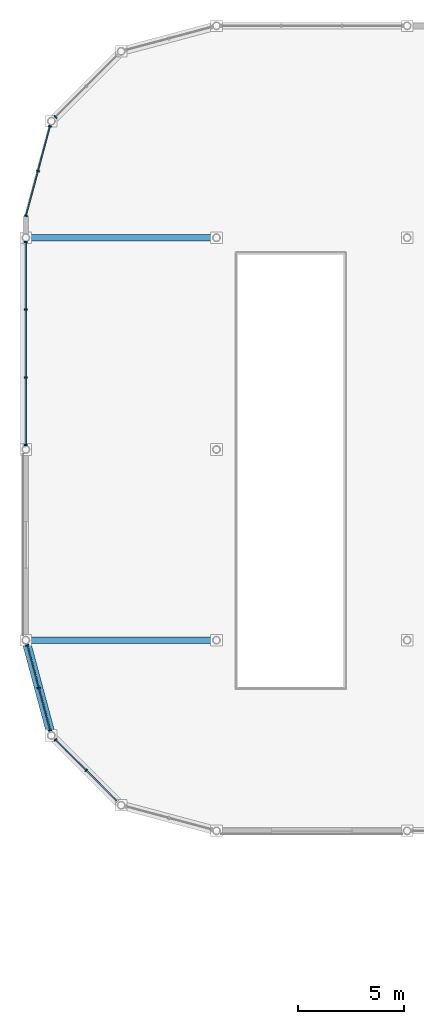
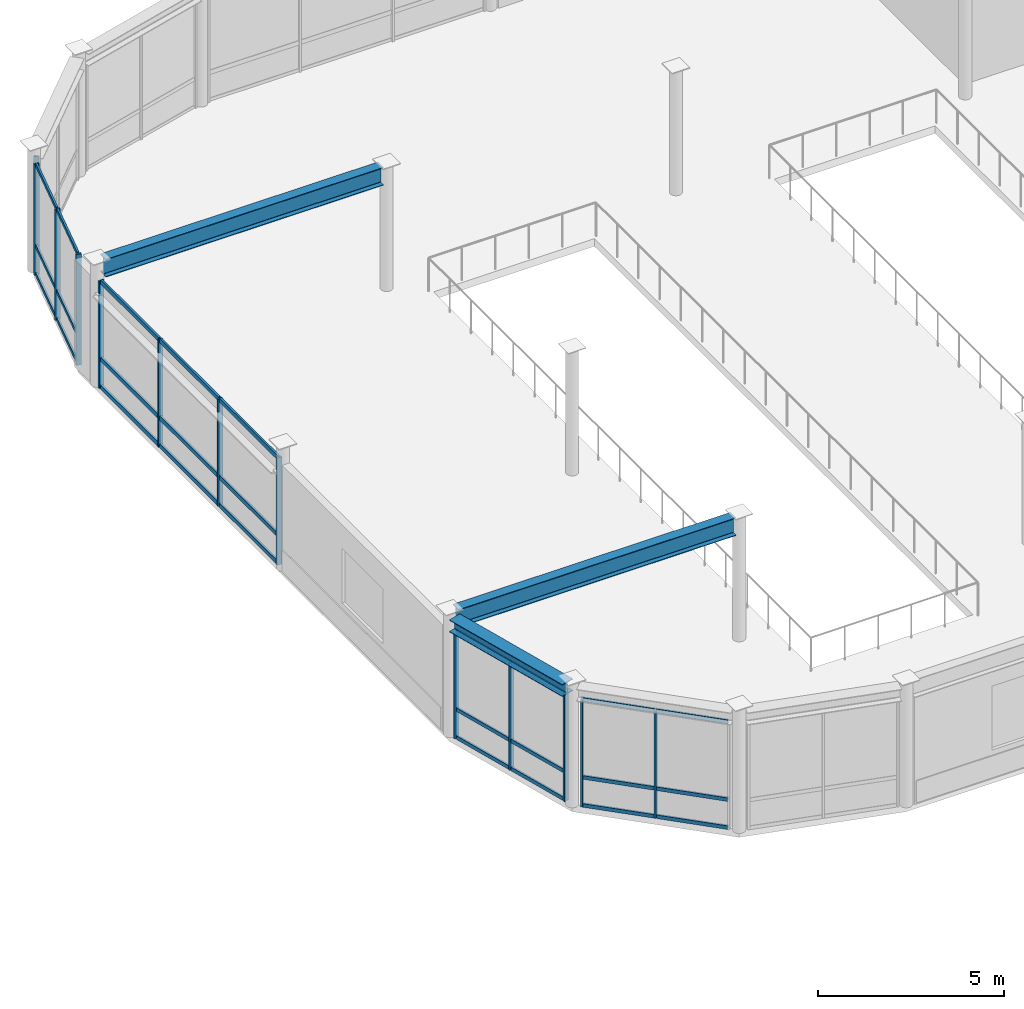
# One storey, part 19 of 53: 40 members, 3 beams, 5 elements without a shape of their own.
"""IFC4 building model written with IfcOpenShell, lengths in metres."""

from ifc_helpers import new_model, si_unit, direction, frame, origin, origin_2d, place, context, subcontext, project, spatial, rectangle, i_section, extrude, material, material_profile, profile_set, type_object, element, aggregate, save


model = new_model("IFC4")

# Units and contexts
model_context = context("Model", 3, precision=1e-05, world=origin(), true_north=direction((0.0, 1.0)))
body_context = subcontext(model_context, "Body", "Model", "MODEL_VIEW")
ifc_project = project(units=[si_unit("LENGTHUNIT", "METRE"), si_unit("AREAUNIT", "SQUARE_METRE"), si_unit("VOLUMEUNIT", "CUBIC_METRE"), si_unit("PLANEANGLEUNIT", "RADIAN"), si_unit("MASSUNIT", "GRAM", prefix="KILO")], contexts=[model_context])

# Site, building, storey
site_placement = place(None, origin())
site = spatial("IfcSite", under=ifc_project, at=site_placement, CompositionType="ELEMENT")
building_placement = place(site_placement, origin())
building = spatial("IfcBuilding", under=site, at=building_placement, Name="Suzunagisa Mobility Hub", CompositionType="ELEMENT")
storey_placement = place(building_placement, frame((0.0, 0.0, 17.699951171875)))
storey = spatial("IfcBuildingStorey", under=building, at=storey_placement, Name="L04", CompositionType="ELEMENT", Elevation=17.699951171875)

# Curtain wall, members
ifc_material_1 = material(Name="Thermally Broken Anodized Aluminum and Low-E Glazing", Category="aluminium")
curtain_wall_type_1 = type_object("IfcCurtainWallType", Name="Unitised Curtain Wall CW-39 9750x3500", PredefinedType="USERDEFINED", material=ifc_material_1)
curtain_wall_1_placement = place(storey_placement, origin())
curtain_wall_1 = element("IfcCurtainWall", 1, at=curtain_wall_1_placement, inside=storey, type_object=curtain_wall_type_1, Name="L04 Unitised Curtain Wall CW-90", ObjectType="UNITISED CURTAIN WALL", PredefinedType="USERDEFINED")
ifc_material_2 = material(Name="Anodized Aluminum 6063-T6", Category="aluminium")
ifc_material_profile_1 = material_profile(ifc_material_2, rectangle(XDim=0.06494140625, YDim=0.139892578125, at=origin_2d()), Name="TRAN-65x140")
ifc_profile_set_1 = profile_set([ifc_material_profile_1], Name="Anodized Aluminum 6063-T6")
member_type_1 = type_object("IfcMemberType", Name="Curtain Wall Framing CM-01 TRAN-65x140", PredefinedType="USERDEFINED", material=ifc_profile_set_1)
member_1_placement = place(storey_placement, frame((0.0, 107.76416015625, 0.032470703125), z_axis=(0.0, -1.0, 0.0), x_axis=(1.0, 0.0, 0.0)))
member_1 = element("IfcMember", 2, at=member_1_placement, type_object=member_type_1, Name="Curtain Wall Transom 90-T1.1", ObjectType="TRANSOM", PredefinedType="USERDEFINED", context=body_context, shape_type="SweptSolid", body=[
    extrude(rectangle(XDim=0.06494140625, YDim=0.139892578125, at=origin_2d()), origin(), (0.0, 0.0, 1.0), 3.128662109375),
])
member_2_placement = place(storey_placement, frame((0.0, 107.76416015625, 0.949951171875), z_axis=(0.0, -1.0, 0.0), x_axis=(1.0, 0.0, 0.0)))
member_2 = element("IfcMember", 3, at=member_2_placement, type_object=member_type_1, Name="Curtain Wall Transom 90-T1.2", ObjectType="TRANSOM", PredefinedType="USERDEFINED", context=body_context, shape_type="SweptSolid", body=[
    extrude(rectangle(XDim=0.06494140625, YDim=0.139892578125, at=origin_2d()), origin(), (0.0, 0.0, 1.0), 3.128662109375),
])
member_3_placement = place(storey_placement, frame((0.0, 107.76416015625, 3.49365234375), z_axis=(0.0, -1.0, 0.0), x_axis=(1.0, 0.0, 0.0)))
member_3 = element("IfcMember", 4, at=member_3_placement, type_object=member_type_1, Name="Curtain Wall Transom 90-T1.3", ObjectType="TRANSOM", PredefinedType="USERDEFINED", context=body_context, shape_type="SweptSolid", body=[
    extrude(rectangle(XDim=0.06494140625, YDim=0.139892578125, at=origin_2d()), origin(), (0.0, 0.0, 1.0), 3.128662109375),
])
member_4_placement = place(storey_placement, frame((0.0, 104.579345703125, 0.032470703125), z_axis=(0.0, -1.0, 0.0), x_axis=(1.0, 0.0, 0.0)))
member_4 = element("IfcMember", 5, at=member_4_placement, type_object=member_type_1, Name="Curtain Wall Transom 90-T2.1", ObjectType="TRANSOM", PredefinedType="USERDEFINED", context=body_context, shape_type="SweptSolid", body=[
    extrude(rectangle(XDim=0.06494140625, YDim=0.139892578125, at=origin_2d()), origin(), (0.0, 0.0, 1.0), 3.15869140625),
])
member_5_placement = place(storey_placement, frame((0.0, 104.579345703125, 0.949951171875), z_axis=(0.0, -1.0, 0.0), x_axis=(1.0, 0.0, 0.0)))
member_5 = element("IfcMember", 6, at=member_5_placement, type_object=member_type_1, Name="Curtain Wall Transom 90-T2.2", ObjectType="TRANSOM", PredefinedType="USERDEFINED", context=body_context, shape_type="SweptSolid", body=[
    extrude(rectangle(XDim=0.06494140625, YDim=0.139892578125, at=origin_2d()), origin(), (0.0, 0.0, 1.0), 3.15869140625),
])
member_6_placement = place(storey_placement, frame((0.0, 104.579345703125, 3.49365234375), z_axis=(0.0, -1.0, 0.0), x_axis=(1.0, 0.0, 0.0)))
member_6 = element("IfcMember", 7, at=member_6_placement, type_object=member_type_1, Name="Curtain Wall Transom 90-T2.3", ObjectType="TRANSOM", PredefinedType="USERDEFINED", context=body_context, shape_type="SweptSolid", body=[
    extrude(rectangle(XDim=0.06494140625, YDim=0.139892578125, at=origin_2d()), origin(), (0.0, 0.0, 1.0), 3.15869140625),
])
member_7_placement = place(storey_placement, frame((0.0, 101.364501953125, 0.032470703125), z_axis=(0.0, -1.0, 0.0), x_axis=(1.0, 0.0, 0.0)))
member_7 = element("IfcMember", 8, at=member_7_placement, type_object=member_type_1, Name="Curtain Wall Transom 90-T3.1", ObjectType="TRANSOM", PredefinedType="USERDEFINED", context=body_context, shape_type="SweptSolid", body=[
    extrude(rectangle(XDim=0.06494140625, YDim=0.139892578125, at=origin_2d()), origin(), (0.0, 0.0, 1.0), 3.128662109375),
])
member_8_placement = place(storey_placement, frame((0.0, 101.364501953125, 0.949951171875), z_axis=(0.0, -1.0, 0.0), x_axis=(1.0, 0.0, 0.0)))
member_8 = element("IfcMember", 9, at=member_8_placement, type_object=member_type_1, Name="Curtain Wall Transom 90-T3.2", ObjectType="TRANSOM", PredefinedType="USERDEFINED", context=body_context, shape_type="SweptSolid", body=[
    extrude(rectangle(XDim=0.06494140625, YDim=0.139892578125, at=origin_2d()), origin(), (0.0, 0.0, 1.0), 3.128662109375),
])
member_9_placement = place(storey_placement, frame((0.0, 101.364501953125, 3.49365234375), z_axis=(0.0, -1.0, 0.0), x_axis=(1.0, 0.0, 0.0)))
member_9 = element("IfcMember", 10, at=member_9_placement, type_object=member_type_1, Name="Curtain Wall Transom 90-T3.3", ObjectType="TRANSOM", PredefinedType="USERDEFINED", context=body_context, shape_type="SweptSolid", body=[
    extrude(rectangle(XDim=0.06494140625, YDim=0.139892578125, at=origin_2d()), origin(), (0.0, 0.0, 1.0), 3.128662109375),
])

curtain_wall_type_2 = type_object("IfcCurtainWallType", Name="Unitised Curtain Wall CW-24 4250x3500", PredefinedType="USERDEFINED", material=ifc_material_1)
curtain_wall_2_placement = place(storey_placement, origin())
curtain_wall_2 = element("IfcCurtainWall", 11, at=curtain_wall_2_placement, inside=storey, type_object=curtain_wall_type_2, Name="L04 Unitised Curtain Wall CW-80", ObjectType="UNITISED CURTAIN WALL", PredefinedType="USERDEFINED")
ifc_material_profile_2 = material_profile(ifc_material_2, rectangle(XDim=0.06005859375, YDim=0.1201171875, at=origin_2d()), Name="TRAN-60x120")
ifc_profile_set_2 = profile_set([ifc_material_profile_2], Name="Anodized Aluminum 6063-T6")
member_type_2 = type_object("IfcMemberType", Name="Curtain Wall Framing CM-02 TRAN-60x120", PredefinedType="USERDEFINED", material=ifc_profile_set_2)
member_10_placement = place(storey_placement, frame((0.0712890625, 88.733642578125, 0.030029296875), z_axis=(0.258892720742, -0.965906081949, 0.0), x_axis=(0.965906081949, 0.258892720742, 0.0)))
member_10 = element("IfcMember", 12, at=member_10_placement, type_object=member_type_2, Name="Curtain Wall Transom 80-T1.1", ObjectType="TRANSOM", PredefinedType="USERDEFINED", context=body_context, shape_type="SweptSolid", body=[
    extrude(rectangle(XDim=0.06005859375, YDim=0.1201171875, at=origin_2d()), origin(), (0.0, 0.0, 1.0), 2.025634765625),
])
member_11_placement = place(storey_placement, frame((0.0712890625, 88.733642578125, 0.949951171875), z_axis=(0.258892720742, -0.965906081949, 0.0), x_axis=(0.965906081949, 0.258892720742, 0.0)))
member_11 = element("IfcMember", 13, at=member_11_placement, type_object=member_type_2, Name="Curtain Wall Transom 80-T1.2", ObjectType="TRANSOM", PredefinedType="USERDEFINED", context=body_context, shape_type="SweptSolid", body=[
    extrude(rectangle(XDim=0.06005859375, YDim=0.1201171875, at=origin_2d()), origin(), (0.0, 0.0, 1.0), 2.025634765625),
])
member_12_placement = place(storey_placement, frame((0.0712890625, 88.733642578125, 3.49609375), z_axis=(0.258892720742, -0.965906081949, 0.0), x_axis=(0.965906081949, 0.258892720742, 0.0)))
member_12 = element("IfcMember", 14, at=member_12_placement, type_object=member_type_2, Name="Curtain Wall Transom 80-T1.3", ObjectType="TRANSOM", PredefinedType="USERDEFINED", context=body_context, shape_type="SweptSolid", body=[
    extrude(rectangle(XDim=0.06005859375, YDim=0.1201171875, at=origin_2d()), origin(), (0.0, 0.0, 1.0), 2.025634765625),
])
member_13_placement = place(storey_placement, frame((0.610107421875, 86.722900390625, 0.030029296875), z_axis=(0.258892720742, -0.965906081949, 0.0), x_axis=(0.965906081949, 0.258892720742, 0.0)))
member_13 = element("IfcMember", 15, at=member_13_placement, type_object=member_type_2, Name="Curtain Wall Transom 80-T2.1", ObjectType="TRANSOM", PredefinedType="USERDEFINED", context=body_context, shape_type="SweptSolid", body=[
    extrude(rectangle(XDim=0.06005859375, YDim=0.1201171875, at=origin_2d()), origin(), (0.0, 0.0, 1.0), 2.025634765625),
])
member_14_placement = place(storey_placement, frame((0.610107421875, 86.722900390625, 0.949951171875), z_axis=(0.258892720742, -0.965906081949, 0.0), x_axis=(0.965906081949, 0.258892720742, 0.0)))
member_14 = element("IfcMember", 16, at=member_14_placement, type_object=member_type_2, Name="Curtain Wall Transom 80-T2.2", ObjectType="TRANSOM", PredefinedType="USERDEFINED", context=body_context, shape_type="SweptSolid", body=[
    extrude(rectangle(XDim=0.06005859375, YDim=0.1201171875, at=origin_2d()), origin(), (0.0, 0.0, 1.0), 2.025634765625),
])
member_15_placement = place(storey_placement, frame((0.610107421875, 86.722900390625, 3.49609375), z_axis=(0.258892720742, -0.965906081949, 0.0), x_axis=(0.965906081949, 0.258892720742, 0.0)))
member_15 = element("IfcMember", 17, at=member_15_placement, type_object=member_type_2, Name="Curtain Wall Transom 80-T2.3", ObjectType="TRANSOM", PredefinedType="USERDEFINED", context=body_context, shape_type="SweptSolid", body=[
    extrude(rectangle(XDim=0.06005859375, YDim=0.1201171875, at=origin_2d()), origin(), (0.0, 0.0, 1.0), 2.025634765625),
])

curtain_wall_3_placement = place(storey_placement, origin())
curtain_wall_3 = element("IfcCurtainWall", 18, at=curtain_wall_3_placement, inside=storey, type_object=curtain_wall_type_2, Name="L04 Unitised Curtain Wall CW-81", ObjectType="UNITISED CURTAIN WALL", PredefinedType="USERDEFINED")
member_16_placement = place(storey_placement, frame((1.424560546875, 84.28125, 0.030029296875), z_axis=(0.707106781187, -0.707106781187, 0.0), x_axis=(0.707106781187, 0.707106781187, 0.0)))
member_16 = element("IfcMember", 19, at=member_16_placement, type_object=member_type_2, Name="Curtain Wall Transom 81-T1.1", ObjectType="TRANSOM", PredefinedType="USERDEFINED", context=body_context, shape_type="SweptSolid", body=[
    extrude(rectangle(XDim=0.06005859375, YDim=0.1201171875, at=origin_2d()), origin(), (0.0, 0.0, 1.0), 1.991943359375),
])
member_17_placement = place(storey_placement, frame((1.424560546875, 84.28125, 0.949951171875), z_axis=(0.707106781187, -0.707106781187, 0.0), x_axis=(0.707106781187, 0.707106781187, 0.0)))
member_17 = element("IfcMember", 20, at=member_17_placement, type_object=member_type_2, Name="Curtain Wall Transom 81-T1.2", ObjectType="TRANSOM", PredefinedType="USERDEFINED", context=body_context, shape_type="SweptSolid", body=[
    extrude(rectangle(XDim=0.06005859375, YDim=0.1201171875, at=origin_2d()), origin(), (0.0, 0.0, 1.0), 1.991943359375),
])
member_18_placement = place(storey_placement, frame((1.424560546875, 84.28125, 3.510009765625), z_axis=(0.707106781187, -0.707106781187, 0.0), x_axis=(0.707106781187, 0.707106781187, 0.0)))
member_18 = element("IfcMember", 21, at=member_18_placement, type_object=member_type_2, Name="Curtain Wall Transom 81-T1.3", ObjectType="TRANSOM", PredefinedType="USERDEFINED", context=body_context, shape_type="SweptSolid", body=[
    extrude(rectangle(XDim=0.06005859375, YDim=0.1201171875, at=origin_2d()), origin(), (0.0, 0.0, 1.0), 1.991943359375),
])
member_19_placement = place(storey_placement, frame((2.872802734375, 82.8330078125, 0.030029296875), z_axis=(0.707106781187, -0.707106781187, 0.0), x_axis=(0.707106781187, 0.707106781187, 0.0)))
member_19 = element("IfcMember", 22, at=member_19_placement, type_object=member_type_2, Name="Curtain Wall Transom 81-T2.1", ObjectType="TRANSOM", PredefinedType="USERDEFINED", context=body_context, shape_type="SweptSolid", body=[
    extrude(rectangle(XDim=0.06005859375, YDim=0.1201171875, at=origin_2d()), origin(), (0.0, 0.0, 1.0), 1.991943359375),
])
member_20_placement = place(storey_placement, frame((2.872802734375, 82.8330078125, 0.949951171875), z_axis=(0.707106781187, -0.707106781187, 0.0), x_axis=(0.707106781187, 0.707106781187, 0.0)))
member_20 = element("IfcMember", 23, at=member_20_placement, type_object=member_type_2, Name="Curtain Wall Transom 81-T2.2", ObjectType="TRANSOM", PredefinedType="USERDEFINED", context=body_context, shape_type="SweptSolid", body=[
    extrude(rectangle(XDim=0.06005859375, YDim=0.1201171875, at=origin_2d()), origin(), (0.0, 0.0, 1.0), 1.991943359375),
])
member_21_placement = place(storey_placement, frame((2.872802734375, 82.8330078125, 3.510009765625), z_axis=(0.707106781187, -0.707106781187, 0.0), x_axis=(0.707106781187, 0.707106781187, 0.0)))
member_21 = element("IfcMember", 24, at=member_21_placement, type_object=member_type_2, Name="Curtain Wall Transom 81-T2.3", ObjectType="TRANSOM", PredefinedType="USERDEFINED", context=body_context, shape_type="SweptSolid", body=[
    extrude(rectangle(XDim=0.06005859375, YDim=0.1201171875, at=origin_2d()), origin(), (0.0, 0.0, 1.0), 1.991943359375),
])

curtain_wall_type_3 = type_object("IfcCurtainWallType", Name="Unitised Curtain Wall CW-22 4500x3600", PredefinedType="USERDEFINED", material=ifc_material_1)
curtain_wall_4_placement = place(storey_placement, origin())
curtain_wall_4 = element("IfcCurtainWall", 25, at=curtain_wall_4_placement, inside=storey, type_object=curtain_wall_type_3, Name="L04 Unitised Curtain Wall CW-89", ObjectType="UNITISED CURTAIN WALL", PredefinedType="USERDEFINED")
member_22_placement = place(storey_placement, frame((1.134521484375, 113.233642578125, 0.030029296875), z_axis=(-0.258943797706, -0.965892390295, 0.0), x_axis=(0.965892390295, -0.258943797706, 0.0)))
member_22 = element("IfcMember", 26, at=member_22_placement, type_object=member_type_2, Name="Curtain Wall Transom 89-T1.1", ObjectType="TRANSOM", PredefinedType="USERDEFINED", context=body_context, shape_type="SweptSolid", body=[
    extrude(rectangle(XDim=0.06005859375, YDim=0.1201171875, at=origin_2d()), origin(), (0.0, 0.0, 1.0), 2.134521484375),
])
member_23_placement = place(storey_placement, frame((1.134521484375, 113.233642578125, 0.949951171875), z_axis=(-0.258943797706, -0.965892390295, 0.0), x_axis=(0.965892390295, -0.258943797706, 0.0)))
member_23 = element("IfcMember", 27, at=member_23_placement, type_object=member_type_2, Name="Curtain Wall Transom 89-T1.2", ObjectType="TRANSOM", PredefinedType="USERDEFINED", context=body_context, shape_type="SweptSolid", body=[
    extrude(rectangle(XDim=0.06005859375, YDim=0.1201171875, at=origin_2d()), origin(), (0.0, 0.0, 1.0), 2.134521484375),
])
member_24_placement = place(storey_placement, frame((1.134521484375, 113.233642578125, 3.6201171875), z_axis=(-0.258943797706, -0.965892390295, 0.0), x_axis=(0.965892390295, -0.258943797706, 0.0)))
member_24 = element("IfcMember", 28, at=member_24_placement, type_object=member_type_2, Name="Curtain Wall Transom 89-T1.3", ObjectType="TRANSOM", PredefinedType="USERDEFINED", context=body_context, shape_type="SweptSolid", body=[
    extrude(rectangle(XDim=0.06005859375, YDim=0.1201171875, at=origin_2d()), origin(), (0.0, 0.0, 1.0), 2.134521484375),
])
member_25_placement = place(storey_placement, frame((0.5673828125, 111.117919921875, 0.030029296875), z_axis=(-0.258837087522, -0.965920991657, 0.0), x_axis=(0.965920991657, -0.258837087522, 0.0)))
member_25 = element("IfcMember", 29, at=member_25_placement, type_object=member_type_2, Name="Curtain Wall Transom 89-T2.1", ObjectType="TRANSOM", PredefinedType="USERDEFINED", context=body_context, shape_type="SweptSolid", body=[
    extrude(rectangle(XDim=0.06005859375, YDim=0.1201171875, at=origin_2d()), origin(), (0.0, 0.0, 1.0), 2.134521484375),
])
member_26_placement = place(storey_placement, frame((0.5673828125, 111.117919921875, 0.949951171875), z_axis=(-0.258837087522, -0.965920991657, 0.0), x_axis=(0.965920991657, -0.258837087522, 0.0)))
member_26 = element("IfcMember", 30, at=member_26_placement, type_object=member_type_2, Name="Curtain Wall Transom 89-T2.2", ObjectType="TRANSOM", PredefinedType="USERDEFINED", context=body_context, shape_type="SweptSolid", body=[
    extrude(rectangle(XDim=0.06005859375, YDim=0.1201171875, at=origin_2d()), origin(), (0.0, 0.0, 1.0), 2.134521484375),
])
member_27_placement = place(storey_placement, frame((0.5673828125, 111.117919921875, 3.6201171875), z_axis=(-0.258837087522, -0.965920991657, 0.0), x_axis=(0.965920991657, -0.258837087522, 0.0)))
member_27 = element("IfcMember", 31, at=member_27_placement, type_object=member_type_2, Name="Curtain Wall Transom 89-T2.3", ObjectType="TRANSOM", PredefinedType="USERDEFINED", context=body_context, shape_type="SweptSolid", body=[
    extrude(rectangle(XDim=0.06005859375, YDim=0.1201171875, at=origin_2d()), origin(), (0.0, 0.0, 1.0), 2.134521484375),
])

# Member
ifc_material_profile_3 = material_profile(ifc_material_2, rectangle(XDim=0.06005859375, YDim=0.14990234375, at=origin_2d()), Name="MULL-60x150")
ifc_profile_set_3 = profile_set([ifc_material_profile_3], Name="Anodized Aluminum 6063-T6")
member_type_3 = type_object("IfcMemberType", Name="Curtain Wall Framing CM-03 MULL-60x150", PredefinedType="MULLION", material=ifc_profile_set_3)
member_28_placement = place(storey_placement, frame((0.064208984375, 88.7607421875, 0.0), z_axis=(0.0, 0.0, 1.0), x_axis=(0.258803152984, -0.965930084429, 0.0)))
member_28 = element("IfcMember", 32, at=member_28_placement, type_object=member_type_3, Name="Curtain Wall Mullion 80-M1", PredefinedType="MULLION", context=body_context, shape_type="SweptSolid", body=[
    extrude(rectangle(XDim=0.06005859375, YDim=0.14990234375, at=origin_2d()), origin(), (0.0, 0.0, 1.0), 3.526123046875),
])

member_29_placement = place(storey_placement, frame((0.602783203125, 86.75, 0.0), z_axis=(0.0, 0.0, 1.0), x_axis=(0.258803152984, -0.965930084429, 0.0)))
member_29 = element("IfcMember", 33, at=member_29_placement, type_object=member_type_3, Name="Curtain Wall Mullion 80-M2", PredefinedType="MULLION", context=body_context, shape_type="SweptSolid", body=[
    extrude(rectangle(XDim=0.06005859375, YDim=0.14990234375, at=origin_2d()), origin(), (0.0, 0.0, 1.0), 3.526123046875),
])

member_30_placement = place(storey_placement, frame((1.1416015625, 84.7392578125, 0.0), z_axis=(0.0, 0.0, 1.0), x_axis=(0.258803152984, -0.965930084429, 0.0)))
member_30 = element("IfcMember", 34, at=member_30_placement, type_object=member_type_3, Name="Curtain Wall Mullion 80-M3", PredefinedType="MULLION", context=body_context, shape_type="SweptSolid", body=[
    extrude(rectangle(XDim=0.06005859375, YDim=0.14990234375, at=origin_2d()), origin(), (0.0, 0.0, 1.0), 3.526123046875),
])

aggregate(curtain_wall_2, [member_28, member_29, member_30, member_10, member_11, member_12, member_13, member_14, member_15])

member_31_placement = place(storey_placement, frame((1.40478515625, 84.301025390625, 0.0), z_axis=(0.0, 0.0, 1.0), x_axis=(0.707106781187, -0.707106781187, 0.0)))
member_31 = element("IfcMember", 35, at=member_31_placement, type_object=member_type_3, Name="Curtain Wall Mullion 81-M1", PredefinedType="MULLION", context=body_context, shape_type="SweptSolid", body=[
    extrude(rectangle(XDim=0.06005859375, YDim=0.14990234375, at=origin_2d()), origin(), (0.0, 0.0, 1.0), 3.5400390625),
])

member_32_placement = place(storey_placement, frame((2.852783203125, 82.852783203125, 0.0), z_axis=(0.0, 0.0, 1.0), x_axis=(0.707106781187, -0.707106781187, 0.0)))
member_32 = element("IfcMember", 36, at=member_32_placement, type_object=member_type_3, Name="Curtain Wall Mullion 81-M2", PredefinedType="MULLION", context=body_context, shape_type="SweptSolid", body=[
    extrude(rectangle(XDim=0.06005859375, YDim=0.14990234375, at=origin_2d()), origin(), (0.0, 0.0, 1.0), 3.5400390625),
])

aggregate(curtain_wall_3, [member_31, member_32, member_16, member_17, member_18, member_19, member_20, member_21])

# Curtain wall, member
curtain_wall_5_placement = place(storey_placement, origin())
curtain_wall_5 = element("IfcCurtainWall", 37, at=curtain_wall_5_placement, inside=storey, type_object=curtain_wall_type_2, Name="L04 Unitised Curtain Wall CW-88", ObjectType="UNITISED CURTAIN WALL", PredefinedType="USERDEFINED")
member_33_placement = place(storey_placement, frame((1.40478515625, 113.698974609375, 0.0), z_axis=(0.0, 0.0, 1.0), x_axis=(-0.707106781187, -0.707106781187, 0.0)))
member_33 = element("IfcMember", 38, at=member_33_placement, type_object=member_type_3, Name="Curtain Wall Mullion 88-M3", PredefinedType="MULLION", context=body_context, shape_type="SweptSolid", body=[
    extrude(rectangle(XDim=0.06005859375, YDim=0.14990234375, at=origin_2d()), origin(), (0.0, 0.0, 1.0), 3.5400390625),
])
aggregate(curtain_wall_5, [member_33])

# Member
member_34_placement = place(storey_placement, frame((1.1416015625, 113.2607421875, 0.0), z_axis=(0.0, 0.0, 1.0), x_axis=(-0.258814496501, -0.965927045072, 0.0)))
member_34 = element("IfcMember", 39, at=member_34_placement, type_object=member_type_3, Name="Curtain Wall Mullion 89-M1", PredefinedType="MULLION", context=body_context, shape_type="SweptSolid", body=[
    extrude(rectangle(XDim=0.06005859375, YDim=0.14990234375, at=origin_2d()), origin(), (0.0, 0.0, 1.0), 3.650146484375),
])

member_35_placement = place(storey_placement, frame((0.57470703125, 111.14501953125, 0.0), z_axis=(0.0, 0.0, 1.0), x_axis=(-0.258814496501, -0.965927045072, 0.0)))
member_35 = element("IfcMember", 40, at=member_35_placement, type_object=member_type_3, Name="Curtain Wall Mullion 89-M2", PredefinedType="MULLION", context=body_context, shape_type="SweptSolid", body=[
    extrude(rectangle(XDim=0.06005859375, YDim=0.14990234375, at=origin_2d()), origin(), (0.0, 0.0, 1.0), 3.650146484375),
])

member_36_placement = place(storey_placement, frame((0.0078125, 109.029052734375, 0.0), z_axis=(0.0, 0.0, 1.0), x_axis=(-0.258814496501, -0.965927045072, 0.0)))
member_36 = element("IfcMember", 41, at=member_36_placement, type_object=member_type_3, Name="Curtain Wall Mullion 89-M3", PredefinedType="MULLION", context=body_context, shape_type="SweptSolid", body=[
    extrude(rectangle(XDim=0.06005859375, YDim=0.14990234375, at=origin_2d()), origin(), (0.0, 0.0, 1.0), 3.650146484375),
])

aggregate(curtain_wall_4, [member_34, member_35, member_36, member_22, member_23, member_24, member_25, member_26, member_27])

member_37_placement = place(storey_placement, frame((0.0, 107.792236328125, 0.0), z_axis=(0.0, 0.0, 1.0), x_axis=(0.0, -1.0, 0.0)))
member_37 = element("IfcMember", 42, at=member_37_placement, type_object=member_type_3, Name="Curtain Wall Mullion 90-M1", PredefinedType="MULLION", context=body_context, shape_type="SweptSolid", body=[
    extrude(rectangle(XDim=0.06005859375, YDim=0.14990234375, at=origin_2d()), origin(), (0.0, 0.0, 1.0), 3.526123046875),
])

member_38_placement = place(storey_placement, frame((0.0, 104.607421875, 0.0), z_axis=(0.0, 0.0, 1.0), x_axis=(0.0, -1.0, 0.0)))
member_38 = element("IfcMember", 43, at=member_38_placement, type_object=member_type_3, Name="Curtain Wall Mullion 90-M2", PredefinedType="MULLION", context=body_context, shape_type="SweptSolid", body=[
    extrude(rectangle(XDim=0.06005859375, YDim=0.14990234375, at=origin_2d()), origin(), (0.0, 0.0, 1.0), 3.526123046875),
])

member_39_placement = place(storey_placement, frame((0.0, 101.392578125, 0.0), z_axis=(0.0, 0.0, 1.0), x_axis=(0.0, -1.0, 0.0)))
member_39 = element("IfcMember", 44, at=member_39_placement, type_object=member_type_3, Name="Curtain Wall Mullion 90-M3", PredefinedType="MULLION", context=body_context, shape_type="SweptSolid", body=[
    extrude(rectangle(XDim=0.06005859375, YDim=0.14990234375, at=origin_2d()), origin(), (0.0, 0.0, 1.0), 3.526123046875),
])

member_40_placement = place(storey_placement, frame((0.0, 98.207763671875, 0.0), z_axis=(0.0, 0.0, 1.0), x_axis=(0.0, -1.0, 0.0)))
member_40 = element("IfcMember", 45, at=member_40_placement, type_object=member_type_3, Name="Curtain Wall Mullion 90-M4", PredefinedType="MULLION", context=body_context, shape_type="SweptSolid", body=[
    extrude(rectangle(XDim=0.06005859375, YDim=0.14990234375, at=origin_2d()), origin(), (0.0, 0.0, 1.0), 3.526123046875),
])

aggregate(curtain_wall_1, [member_37, member_38, member_39, member_40, member_1, member_2, member_3, member_4, member_5, member_6, member_7, member_8, member_9])

# Beams
ifc_material_3 = material(Name="Steel SN490B", Category="steel")
ifc_material_profile_4 = material_profile(ifc_material_3, i_section(OverallWidth=0.39990234375, OverallDepth=0.39990234375, WebThickness=0.012939453125, FlangeThickness=0.02099609375, FilletRadius=0.01611328125, at=origin_2d()), Name="H-400x400x13x21")
ifc_profile_set_4 = profile_set([ifc_material_profile_4], Name="Steel SN490B")
beam_type_1 = type_object("IfcBeamType", Name="Steel Beam BM-12 H-400x400x13x21", PredefinedType="SPANDREL", material=ifc_profile_set_4)
beam_placement = place(storey_placement, frame((0.0458984375, 88.828369140625, 3.739990234375), z_axis=(0.258866526841, -0.965913102345, 0.0), x_axis=(0.965913102345, 0.258866526841, 0.0)))
element("IfcBeam", 46, at=beam_placement, inside=storey, type_object=beam_type_1, Name="L04 Ramp Drum Corner Prow Spandrel 2263", PredefinedType="SPANDREL", context=body_context, shape_type="SweptSolid", body=[
    extrude(i_section(OverallWidth=0.39990234375, OverallDepth=0.39990234375, WebThickness=0.012939453125, FlangeThickness=0.02099609375, FilletRadius=0.01611328125, at=origin_2d()), origin(), (0.0, 0.0, 1.0), 4.303466796875),
])
ifc_material_profile_5 = material_profile(ifc_material_3, i_section(OverallWidth=0.300048828125, OverallDepth=0.587890625, WebThickness=0.011962890625, FlangeThickness=0.02001953125, FilletRadius=0.012939453125, at=origin_2d()), Name="H-588x300x12x20")
ifc_profile_set_5 = profile_set([ifc_material_profile_5], Name="Steel SN490B")
beam_type_2 = type_object("IfcBeamType", Name="Steel Beam BM-16 H-588x300x12x20", PredefinedType="BEAM", material=ifc_profile_set_5)
for number, where, z_axis, x_axis, name in (
    (47, (0.179931640625, 89.0, 3.820068359375), (1.0, 0.0, 0.0), (0.0, 1.0, 0.0), "L04 Ramp Drum Eave Girder 2246"),
    (48, (0.179931640625, 108.0, 3.820068359375), (1.0, 0.0, 0.0), (0.0, 1.0, 0.0), "L04 Ramp Drum Eave Girder 2250"),
):
    element("IfcBeam", number, at=place(storey_placement, frame(where, z_axis=z_axis, x_axis=x_axis)), inside=storey, type_object=beam_type_2, Name=name, PredefinedType="BEAM", context=body_context, shape_type="SweptSolid", body=[
        extrude(i_section(OverallWidth=0.300048828125, OverallDepth=0.587890625, WebThickness=0.011962890625, FlangeThickness=0.02001953125, FilletRadius=0.012939453125, at=origin_2d()), origin(), (0.0, 0.0, 1.0), 8.64013671875),
    ])

save(model, "model.ifc")
